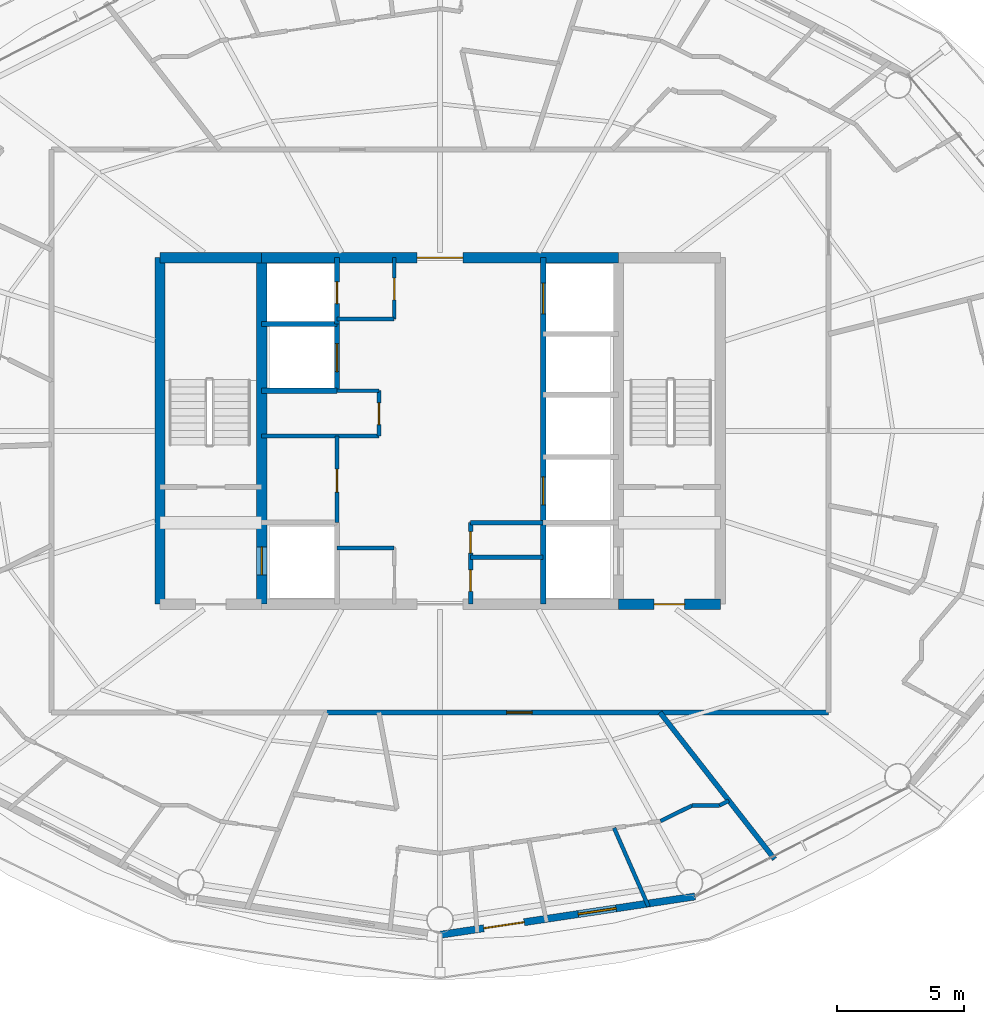
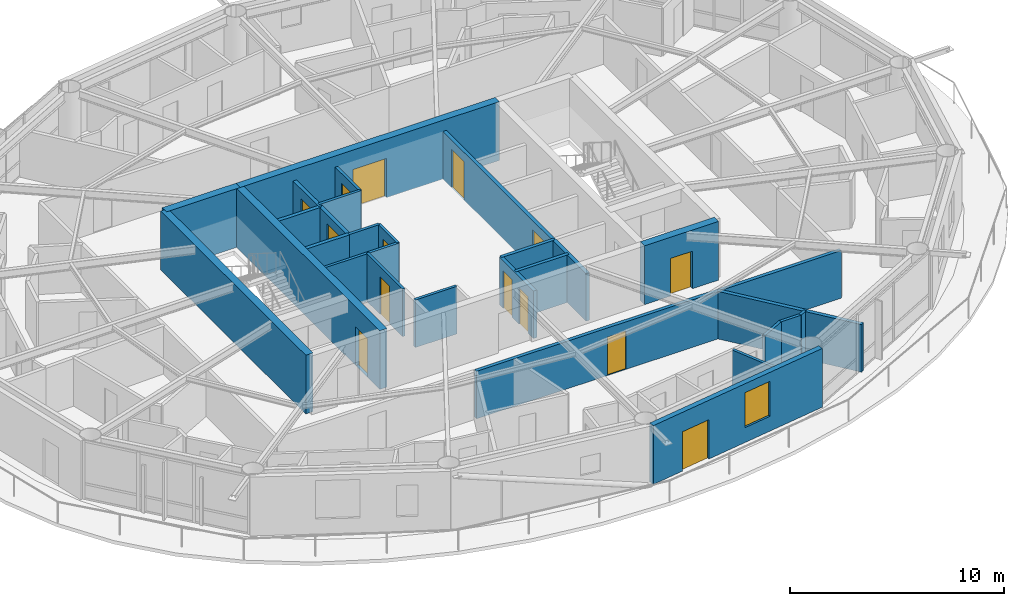
# One storey, part 17 of 23: 28 walls, 14 doors, 1 window, 15 openings.
"""IFC4 building model written with IfcOpenShell, lengths in metres."""

from ifc_helpers import new_model, si_unit, direction, frame, frame_2d, origin, place, context, subcontext, project, spatial, rectangle, extrude, material, layer, layer_set, type_object, element, fill, save


model = new_model("IFC4")

# Units and contexts
model_context = context("Model", 3, precision=1e-05, world=origin(), true_north=direction((0.0, 1.0)))
body_context = subcontext(model_context, "Body", "Model", "MODEL_VIEW")
ifc_project = project(units=[si_unit("LENGTHUNIT", "METRE"), si_unit("AREAUNIT", "SQUARE_METRE"), si_unit("VOLUMEUNIT", "CUBIC_METRE"), si_unit("PLANEANGLEUNIT", "RADIAN"), si_unit("MASSUNIT", "GRAM", prefix="KILO")], contexts=[model_context])

# Site, building, storey
site_placement = place(None, origin())
site = spatial("IfcSite", under=ifc_project, at=site_placement, CompositionType="ELEMENT")
building_placement = place(site_placement, origin())
building = spatial("IfcBuilding", under=site, at=building_placement, Name="Sarneth Arch Tower", CompositionType="ELEMENT")
storey_placement = place(building_placement, frame((0.0, 0.0, 238.800048828125)))
storey = spatial("IfcBuildingStorey", under=building, at=storey_placement, Name="L61", CompositionType="ELEMENT", Elevation=238.800048828125)

# Wall, opening, door
ifc_material_1 = material(Name="Concrete C50/60", Category="concrete")
ifc_layer_1 = layer(ifc_material_1, 0.39990234375)
ifc_layer_set_1 = layer_set([ifc_layer_1], Name="Concrete C50/60")
wall_type_1 = type_object("IfcWallType", Name="WALL-CORE-400", PredefinedType="SHEAR", material=ifc_layer_set_1)
wall_1_placement = place(storey_placement, frame((55.0, 35.199951171875, 0.0), z_axis=(0.0, 0.0, 1.0), x_axis=(1.0, 0.0, 0.0)))
wall_1 = element("IfcWall", 1, at=wall_1_placement, inside=storey, type_object=wall_type_1, Name="L61 Core shear wall S-E", PredefinedType="SHEAR", context=body_context, shape_type="SweptSolid", body=[
    extrude(rectangle(XDim=4.0, YDim=0.39990234375, at=frame_2d((2.0, 0.0))), origin(), (0.0, 0.0, 1.0), 3.35986328125),
])
opening_1_placement = place(wall_1_placement, frame((1.39990234375, 0.0, 0.0)))
opening_1 = element("IfcOpeningElement", 2, at=opening_1_placement, cuts=wall_1, Name="Opening FD-02", PredefinedType="OPENING", context=body_context, shape_type="SweptSolid", body=[
    extrude(rectangle(XDim=1.199951171875, YDim=2.14990234375, at=frame_2d((0.60009765625, 1.074951171875))), frame((0.0, 0.2099609375, 0.0), z_axis=(0.0, -1.0, 0.0), x_axis=(1.0, 0.0, 0.0)), (0.0, 0.0, 1.0), 0.419921875),
])
ifc_material_2 = material(Name="Galvanised Steel S275 fire door set", Category="steel")
door_type_1 = type_object("IfcDoorType", Name="DR-FD90-1200", OperationType="SINGLE_SWING_LEFT", PredefinedType="DOOR", material=ifc_material_2)
door_1_placement = place(opening_1_placement, origin())
door_1 = element("IfcDoor", 3, at=door_1_placement, inside=storey, type_object=door_type_1, Name="L61 Firefighting lobby 2 exit door", OperationType="SINGLE_SWING_RIGHT", OverallHeight=2.14990234375, OverallWidth=1.199951171875, PredefinedType="DOOR", context=body_context, shape_type="SweptSolid", body=[
    extrude(rectangle(XDim=1.199951171875, YDim=2.14990234375, at=frame_2d((0.60009765625, 1.074951171875))), frame((0.0, 0.02490234375, 0.0), z_axis=(0.0, -1.0, 0.0), x_axis=(1.0, 0.0, 0.0)), (0.0, 0.0, 1.0), 0.050048828125),
])
fill(opening_1, door_1)

# Wall
wall_2_placement = place(storey_placement, frame((37.0, 48.800048828125, 0.0), z_axis=(0.0, 0.0, 1.0), x_axis=(1.0, 0.0, 0.0)))
element("IfcWall", 4, at=wall_2_placement, inside=storey, type_object=wall_type_1, Name="L61 Core shear wall N-W", PredefinedType="SHEAR", context=body_context, shape_type="SweptSolid", body=[
    extrude(rectangle(XDim=4.0, YDim=0.39990234375, at=frame_2d((2.0, 0.0))), origin(), (0.0, 0.0, 1.0), 3.35986328125),
])

# Wall, opening, door
wall_3_placement = place(storey_placement, frame((41.0, 48.800048828125, 0.0), z_axis=(0.0, 0.0, 1.0), x_axis=(1.0, 0.0, 0.0)))
wall_3 = element("IfcWall", 5, at=wall_3_placement, inside=storey, type_object=wall_type_1, Name="L61 Core shear wall N-M", PredefinedType="SHEAR", context=body_context, shape_type="SweptSolid", body=[
    extrude(rectangle(XDim=14.0, YDim=0.39990234375, at=frame_2d((7.0, 0.0))), origin(), (0.0, 0.0, 1.0), 3.35986328125),
])
opening_2_placement = place(wall_3_placement, frame((6.10009765625, 0.0, 0.0)))
opening_2 = element("IfcOpeningElement", 6, at=opening_2_placement, cuts=wall_3, Name="Opening FD-01", PredefinedType="OPENING", context=body_context, shape_type="SweptSolid", body=[
    extrude(rectangle(XDim=1.800048828125, YDim=2.25, at=frame_2d((0.89990234375, 1.125))), frame((0.0, 0.2099609375, 0.0), z_axis=(0.0, -1.0, 0.0), x_axis=(1.0, 0.0, 0.0)), (0.0, 0.0, 1.0), 0.419921875),
])
ifc_material_3 = material(Name="Galvanised Steel S275 fire door set", Category="steel")
door_type_2 = type_object("IfcDoorType", Name="DR-FD90-1800", OperationType="DOUBLE_DOOR_SINGLE_SWING", PredefinedType="DOOR", material=ifc_material_3)
door_2_placement = place(opening_2_placement, origin())
door_2 = element("IfcDoor", 7, at=door_2_placement, inside=storey, type_object=door_type_2, Name="L61 Central lift lobby north door", OperationType="DOUBLE_DOOR_SINGLE_SWING", OverallHeight=2.25, OverallWidth=1.800048828125, PredefinedType="DOOR", context=body_context, shape_type="SweptSolid", body=[
    extrude(rectangle(XDim=1.800048828125, YDim=2.25, at=frame_2d((0.89990234375, 1.125))), frame((0.0, 0.02490234375, 0.0), z_axis=(0.0, -1.0, 0.0), x_axis=(1.0, 0.0, 0.0)), (0.0, 0.0, 1.0), 0.050048828125),
])
fill(opening_2, door_2)

# Wall
wall_4_placement = place(storey_placement, frame((37.0, 35.199951171875, 0.0), z_axis=(0.0, 0.0, 1.0), x_axis=(0.0, 1.0, 0.0)))
element("IfcWall", 8, at=wall_4_placement, inside=storey, type_object=wall_type_1, Name="L61 Core shear wall W", PredefinedType="SHEAR", context=body_context, shape_type="SweptSolid", body=[
    extrude(rectangle(XDim=13.60009765625, YDim=0.39990234375, at=frame_2d((6.800048828125, 0.0))), origin(), (0.0, 0.0, 1.0), 3.35986328125),
])

# Wall, opening, door
wall_5_placement = place(storey_placement, frame((41.0, 35.199951171875, 0.0), z_axis=(0.0, 0.0, 1.0), x_axis=(0.0, 1.0, 0.0)))
wall_5 = element("IfcWall", 9, at=wall_5_placement, inside=storey, type_object=wall_type_1, Name="L61 Core shear wall WEB-W", PredefinedType="SHEAR", context=body_context, shape_type="SweptSolid", body=[
    extrude(rectangle(XDim=13.60009765625, YDim=0.39990234375, at=frame_2d((6.800048828125, 0.0))), origin(), (0.0, 0.0, 1.0), 3.35986328125),
])
opening_3_placement = place(wall_5_placement, frame((1.14990234375, 0.0, 0.0)))
opening_3 = element("IfcOpeningElement", 10, at=opening_3_placement, cuts=wall_5, Name="Opening LD-1", PredefinedType="OPENING", context=body_context, shape_type="SweptSolid", body=[
    extrude(rectangle(XDim=1.10009765625, YDim=2.199951171875, at=frame_2d((0.550048828125, 1.10009765625))), frame((0.0, 0.2099609375, 0.0), z_axis=(0.0, -1.0, 0.0), x_axis=(1.0, 0.0, 0.0)), (0.0, 0.0, 1.0), 0.419921875),
])
ifc_material_4 = material(Name="Brushed Stainless Steel 304 lift landing door", Category="steel")
door_type_3 = type_object("IfcDoorType", Name="DR-LIFT-SLIDE-1100", OperationType="SLIDING_TO_LEFT", PredefinedType="DOOR", material=ifc_material_4)
door_3_placement = place(opening_3_placement, origin())
door_3 = element("IfcDoor", 11, at=door_3_placement, inside=storey, type_object=door_type_3, Name="L61 Firefighting lift landing door FL-1", OperationType="SLIDING_TO_LEFT", OverallHeight=2.199951171875, OverallWidth=1.10009765625, PredefinedType="DOOR", context=body_context, shape_type="SweptSolid", body=[
    extrude(rectangle(XDim=1.10009765625, YDim=2.199951171875, at=frame_2d((0.550048828125, 1.10009765625))), frame((0.0, 0.02490234375, 0.0), z_axis=(0.0, -1.0, 0.0), x_axis=(1.0, 0.0, 0.0)), (0.0, 0.0, 1.0), 0.050048828125),
])
fill(opening_3, door_3)

ifc_material_5 = material(Name="Double steel-stud corridor fire wall", Category="steel")
ifc_layer_2 = layer(ifc_material_5, 0.18994140625)
ifc_layer_set_2 = layer_set([ifc_layer_2], Name="Double steel-stud corridor fire wall")
wall_type_2 = type_object("IfcWallType", Name="WALL-CORR-190", PredefinedType="PARTITIONING", material=ifc_layer_set_2)
wall_6_placement = place(storey_placement, frame((63.25, 30.949951171875, 0.0), z_axis=(0.0, 0.0, 1.0), x_axis=(-1.0, 0.0, 0.0)))
wall_6 = element("IfcWall", 12, at=wall_6_placement, inside=storey, type_object=wall_type_2, Name="L61 Interior partition W-L61-TP-014", PredefinedType="PARTITIONING", context=body_context, shape_type="SweptSolid", body=[
    extrude(rectangle(XDim=19.714599609375, YDim=0.18994140625, at=frame_2d((9.857421875, 0.0))), origin(), (0.0, 0.0, 1.0), 2.719970703125),
])
opening_4_placement = place(wall_6_placement, frame((11.63232421875, 0.0, 0.0)))
opening_4 = element("IfcOpeningElement", 13, at=opening_4_placement, cuts=wall_6, Name="Opening FD-08", PredefinedType="OPENING", context=body_context, shape_type="SweptSolid", body=[
    extrude(rectangle(XDim=1.0, YDim=2.199951171875, at=frame_2d((0.5, 1.10009765625))), frame((0.0, 0.10498046875, 0.0), z_axis=(0.0, -1.0, 0.0), x_axis=(1.0, 0.0, 0.0)), (0.0, 0.0, 1.0), 0.2099609375),
])
ifc_material_6 = material(Name="Hardwood timber acoustic fire door", Category="wood")
door_type_4 = type_object("IfcDoorType", Name="DR-FD60-1000", OperationType="SINGLE_SWING_LEFT", PredefinedType="DOOR", material=ifc_material_6)
door_4_placement = place(opening_4_placement, origin())
door_4 = element("IfcDoor", 14, at=door_4_placement, inside=storey, type_object=door_type_4, Name="L61 Interior door DR-L61-U5-ENT", OperationType="SINGLE_SWING_RIGHT", OverallHeight=2.199951171875, OverallWidth=1.0, PredefinedType="DOOR", context=body_context, shape_type="SweptSolid", body=[
    extrude(rectangle(XDim=1.0, YDim=2.199951171875, at=frame_2d((0.5, 1.10009765625))), frame((0.0, 0.02490234375, 0.0), z_axis=(0.0, -1.0, 0.0), x_axis=(1.0, 0.0, 0.0)), (0.0, 0.0, 1.0), 0.050048828125),
])
fill(opening_4, door_4)

# Wall, openings, door, window
ifc_material_7 = material(Name="Extruded terracotta rainscreen on Concrete C40/50 backing", Category="masonry")
ifc_layer_3 = layer(ifc_material_7, 0.280029296875)
ifc_layer_set_3 = layer_set([ifc_layer_3], Name="Extruded terracotta rainscreen on Concrete C40/50 backing")
wall_type_3 = type_object("IfcWallType", Name="WALL-EXT-TERRA-280", PredefinedType="SOLIDWALL", material=ifc_layer_set_3)
wall_7_placement = place(storey_placement, frame((48.0, 22.219970703125, 0.0), z_axis=(0.0, 0.0, 1.0), x_axis=(0.988882522213, 0.148698881169, 0.0)))
wall_7 = element("IfcWall", 15, at=wall_7_placement, inside=storey, type_object=wall_type_3, Name="L61 Terracotta perimeter wall 13", PredefinedType="SOLIDWALL", context=body_context, shape_type="SweptSolid", body=[
    extrude(rectangle(XDim=10.125244140625, YDim=0.280029296875, at=frame_2d((5.0625, 0.0))), origin(), (0.0, 0.0, 1.0), 3.35986328125),
])
opening_5_placement = place(wall_7_placement, frame((1.73583984375, 0.0, 0.0)))
opening_5 = element("IfcOpeningElement", 16, at=opening_5_placement, cuts=wall_7, Name="Opening BD-1", PredefinedType="OPENING", context=body_context, shape_type="SweptSolid", body=[
    extrude(rectangle(XDim=1.60009765625, YDim=2.25, at=frame_2d((0.800048828125, 1.125))), frame((0.0, 0.14990234375, 0.0), z_axis=(0.0, -1.0, 0.0), x_axis=(1.0, 0.0, 0.0)), (0.0, 0.0, 1.0), 0.300048828125),
])
opening_6_placement = place(wall_7_placement, frame((5.485107421875, 0.0, 0.85009765625)))
opening_6 = element("IfcOpeningElement", 17, at=opening_6_placement, cuts=wall_7, Name="Opening W-06", PredefinedType="OPENING", context=body_context, shape_type="SweptSolid", body=[
    extrude(rectangle(XDim=1.5, YDim=2.0, at=frame_2d((0.75, 1.0))), frame((0.0, 0.14990234375, 0.0), z_axis=(0.0, -1.0, 0.0), x_axis=(1.0, 0.0, 0.0)), (0.0, 0.0, 1.0), 0.300048828125),
])
ifc_material_8 = material(Name="Thermally broken Aluminium 6063-T6 and laminated safety glass", Category="aluminium")
door_type_5 = type_object("IfcDoorType", Name="DR-BALC-GLZ-1600", OperationType="DOUBLE_DOOR_SINGLE_SWING", PredefinedType="DOOR", material=ifc_material_8)
door_5_placement = place(opening_5_placement, origin())
door_5 = element("IfcDoor", 18, at=door_5_placement, inside=storey, type_object=door_type_5, Name="L61 Balcony glazed door 13", OperationType="DOUBLE_DOOR_SINGLE_SWING", OverallHeight=2.25, OverallWidth=1.60009765625, PredefinedType="DOOR", context=body_context, shape_type="SweptSolid", body=[
    extrude(rectangle(XDim=1.60009765625, YDim=2.25, at=frame_2d((0.800048828125, 1.125))), frame((0.0, 0.02490234375, 0.0), z_axis=(0.0, -1.0, 0.0), x_axis=(1.0, 0.0, 0.0)), (0.0, 0.0, 1.0), 0.050048828125),
])
fill(opening_5, door_5)
ifc_material_9 = material(Name="Thermally broken Aluminium 6063-T6 and low-e laminated IGU", Category="aluminium")
window_type = type_object("IfcWindowType", Name="WIN-TWR-1500x2000", PartitioningType="SINGLE_PANEL", PredefinedType="WINDOW", material=ifc_material_9)
window_placement = place(opening_6_placement, origin())
window = element("IfcWindow", 19, at=window_placement, inside=storey, type_object=window_type, Name="L61 Exterior window 13A", OverallHeight=2.0, OverallWidth=1.5, PartitioningType="SINGLE_PANEL", PredefinedType="WINDOW", context=body_context, shape_type="SweptSolid", body=[
    extrude(rectangle(XDim=1.5, YDim=2.0, at=frame_2d((0.75, 1.0))), frame((0.0, 0.030029296875, 0.0), z_axis=(0.0, -1.0, 0.0), x_axis=(1.0, 0.0, 0.0)), (0.0, 0.0, 1.0), 0.06005859375),
])
fill(opening_6, window)

# Wall, opening, door
ifc_material_10 = material(Name="Acoustic gypsum stud partition", Category="gypsum")
ifc_layer_4 = layer(ifc_material_10, 0.14990234375)
ifc_layer_set_4 = layer_set([ifc_layer_4], Name="Acoustic gypsum stud partition")
wall_type_4 = type_object("IfcWallType", Name="WALL-PART-150", PredefinedType="PARTITIONING", material=ifc_layer_set_4)
wall_8_placement = place(storey_placement, frame((43.949951171875, 38.39990234375, 0.0), z_axis=(0.0, 0.0, 1.0), x_axis=(0.0, 1.0, 0.0)))
wall_8 = element("IfcWall", 20, at=wall_8_placement, inside=storey, type_object=wall_type_4, Name="L61 Interior partition W-L61-RECPL-E1", PredefinedType="PARTITIONING", context=body_context, shape_type="SweptSolid", body=[
    extrude(rectangle(XDim=3.400146484375, YDim=0.14990234375, at=frame_2d((1.7001953125, 0.0))), origin(), (0.0, 0.0, 1.0), 2.719970703125),
])
opening_7_placement = place(wall_8_placement, frame((1.199951171875, 0.0, 0.0)))
opening_7 = element("IfcOpeningElement", 21, at=opening_7_placement, cuts=wall_8, Name="Opening FD-10", PredefinedType="OPENING", context=body_context, shape_type="SweptSolid", body=[
    extrude(rectangle(XDim=0.89990234375, YDim=2.14990234375, at=frame_2d((0.449951171875, 1.074951171875))), frame((0.0, 0.0849609375, 0.0), z_axis=(0.0, -1.0, 0.0), x_axis=(1.0, 0.0, 0.0)), (0.0, 0.0, 1.0), 0.169921875),
])
ifc_material_11 = material(Name="Galvanised Steel S275 riser/service fire door", Category="steel")
door_type_6 = type_object("IfcDoorType", Name="DR-FD60-900", OperationType="SINGLE_SWING_LEFT", PredefinedType="DOOR", material=ifc_material_11)
door_6_placement = place(opening_7_placement, origin())
door_6 = element("IfcDoor", 22, at=door_6_placement, inside=storey, type_object=door_type_6, Name="L61 Interior door DR-L61-RECPL1", OperationType="SINGLE_SWING_LEFT", OverallHeight=2.14990234375, OverallWidth=0.89990234375, PredefinedType="DOOR", context=body_context, shape_type="SweptSolid", body=[
    extrude(rectangle(XDim=0.89990234375, YDim=2.14990234375, at=frame_2d((0.449951171875, 1.074951171875))), frame((0.0, 0.02490234375, 0.0), z_axis=(0.0, -1.0, 0.0), x_axis=(1.0, 0.0, 0.0)), (0.0, 0.0, 1.0), 0.050048828125),
])
fill(opening_7, door_6)

# Walls
wall_9_placement = place(storey_placement, frame((41.0, 41.800048828125, 0.0), z_axis=(0.0, 0.0, 1.0), x_axis=(1.0, 0.0, 0.0)))
element("IfcWall", 23, at=wall_9_placement, inside=storey, type_object=wall_type_4, Name="L61 Interior partition W-L61-RECPL-S2", PredefinedType="PARTITIONING", context=body_context, shape_type="SweptSolid", body=[
    extrude(rectangle(XDim=4.60009765625, YDim=0.14990234375, at=frame_2d((2.300048828125, 0.0))), origin(), (0.0, 0.0, 1.0), 2.719970703125),
])
wall_10_placement = place(storey_placement, frame((43.949951171875, 43.580078125, 0.0), z_axis=(0.0, 0.0, 1.0), x_axis=(1.0, 0.0, 0.0)))
element("IfcWall", 24, at=wall_10_placement, inside=storey, type_object=wall_type_4, Name="L61 Interior partition W-L61-RECPL-N2", PredefinedType="PARTITIONING", context=body_context, shape_type="SweptSolid", body=[
    extrude(rectangle(XDim=1.650146484375, YDim=0.14990234375, at=frame_2d((0.8251953125, 0.0))), origin(), (0.0, 0.0, 1.0), 2.719970703125),
])

# Wall, opening, door
wall_11_placement = place(storey_placement, frame((45.60009765625, 41.800048828125, 0.0), z_axis=(0.0, 0.0, 1.0), x_axis=(0.0, 1.0, 0.0)))
wall_11 = element("IfcWall", 25, at=wall_11_placement, inside=storey, type_object=wall_type_4, Name="L61 Interior partition W-L61-RECPL-E2", PredefinedType="PARTITIONING", context=body_context, shape_type="SweptSolid", body=[
    extrude(rectangle(XDim=1.780029296875, YDim=0.14990234375, at=frame_2d((0.89013671875, 0.0))), origin(), (0.0, 0.0, 1.0), 2.719970703125),
])
opening_8_placement = place(wall_11_placement, frame((0.449951171875, 0.0, 0.0)))
opening_8 = element("IfcOpeningElement", 26, at=opening_8_placement, cuts=wall_11, Name="Opening FD-11", PredefinedType="OPENING", context=body_context, shape_type="SweptSolid", body=[
    extrude(rectangle(XDim=0.85009765625, YDim=2.14990234375, at=frame_2d((0.425048828125, 1.074951171875))), frame((0.0, 0.0849609375, 0.0), z_axis=(0.0, -1.0, 0.0), x_axis=(1.0, 0.0, 0.0)), (0.0, 0.0, 1.0), 0.169921875),
])
ifc_material_12 = material(Name="Galvanised Steel S275 closet fire door", Category="steel")
door_type_7 = type_object("IfcDoorType", Name="DR-FD60-850", OperationType="SINGLE_SWING_LEFT", PredefinedType="DOOR", material=ifc_material_12)
door_7_placement = place(opening_8_placement, origin())
door_7 = element("IfcDoor", 27, at=door_7_placement, inside=storey, type_object=door_type_7, Name="L61 Interior door DR-L61-RECPL2", OperationType="SINGLE_SWING_RIGHT", OverallHeight=2.14990234375, OverallWidth=0.85009765625, PredefinedType="DOOR", context=body_context, shape_type="SweptSolid", body=[
    extrude(rectangle(XDim=0.85009765625, YDim=2.14990234375, at=frame_2d((0.425048828125, 1.074951171875))), frame((0.0, 0.02490234375, 0.0), z_axis=(0.0, -1.0, 0.0), x_axis=(1.0, 0.0, 0.0)), (0.0, 0.0, 1.0), 0.050048828125),
])
fill(opening_8, door_7)

# Walls
for number, where, z_axis, x_axis, name in (
    (28, (43.949951171875, 37.39990234375, 0.0), (0.0, 0.0, 1.0), (1.0, 0.0, 0.0), "L61 Interior partition W-L61-CSUP1-N"),
    (29, (43.949951171875, 46.39990234375, 0.0), (0.0, 0.0, 1.0), (1.0, 0.0, 0.0), "L61 Interior partition W-L61-CSUP2-S"),
):
    element("IfcWall", number, at=place(storey_placement, frame(where, z_axis=z_axis, x_axis=x_axis)), inside=storey, type_object=wall_type_4, Name=name, PredefinedType="PARTITIONING", context=body_context, shape_type="SweptSolid", body=[
        extrude(rectangle(XDim=2.25, YDim=0.14990234375, at=frame_2d((1.125, 0.0))), origin(), (0.0, 0.0, 1.0), 2.719970703125),
    ])

# Wall, opening, door
wall_12_placement = place(storey_placement, frame((46.199951171875, 46.39990234375, 0.0), z_axis=(0.0, 0.0, 1.0), x_axis=(0.0, 1.0, 0.0)))
wall_12 = element("IfcWall", 30, at=wall_12_placement, inside=storey, type_object=wall_type_4, Name="L61 Interior partition W-L61-CSUP2-E", PredefinedType="PARTITIONING", context=body_context, shape_type="SweptSolid", body=[
    extrude(rectangle(XDim=2.400146484375, YDim=0.14990234375, at=frame_2d((1.2001953125, 0.0))), origin(), (0.0, 0.0, 1.0), 2.719970703125),
])
opening_9_placement = place(wall_12_placement, frame((0.75, 0.0, 0.0)))
opening_9 = element("IfcOpeningElement", 31, at=opening_9_placement, cuts=wall_12, Name="Opening FD-11", PredefinedType="OPENING", context=body_context, shape_type="SweptSolid", body=[
    extrude(rectangle(XDim=0.85009765625, YDim=2.14990234375, at=frame_2d((0.425048828125, 1.074951171875))), frame((0.0, 0.0849609375, 0.0), z_axis=(0.0, -1.0, 0.0), x_axis=(1.0, 0.0, 0.0)), (0.0, 0.0, 1.0), 0.169921875),
])
door_8_placement = place(opening_9_placement, origin())
door_8 = element("IfcDoor", 32, at=door_8_placement, inside=storey, type_object=door_type_7, Name="L61 Interior door DR-L61-CSUP2", OperationType="SINGLE_SWING_RIGHT", OverallHeight=2.14990234375, OverallWidth=0.85009765625, PredefinedType="DOOR", context=body_context, shape_type="SweptSolid", body=[
    extrude(rectangle(XDim=0.85009765625, YDim=2.14990234375, at=frame_2d((0.425048828125, 1.074951171875))), frame((0.0, 0.02490234375, 0.0), z_axis=(0.0, -1.0, 0.0), x_axis=(1.0, 0.0, 0.0)), (0.0, 0.0, 1.0), 0.050048828125),
])
fill(opening_9, door_8)

# Walls
wall_13_placement = place(storey_placement, frame((54.83056640625, 26.416015625, 0.0), z_axis=(0.0, 0.0, 1.0), x_axis=(0.401469388376, -0.915872442099, 0.0)))
element("IfcWall", 33, at=wall_13_placement, inside=storey, type_object=wall_type_4, Name="L61 Interior partition W-L61-TP-113", PredefinedType="PARTITIONING", context=body_context, shape_type="SweptSolid", body=[
    extrude(rectangle(XDim=3.365966796875, YDim=0.14990234375, at=frame_2d((1.68310546875, 0.0))), origin(), (0.0, 0.0, 1.0), 2.719970703125),
])
wall_14_placement = place(storey_placement, frame((57.898681640625, 27.300048828125, 0.0), z_axis=(0.0, 0.0, 1.0), x_axis=(-0.895584310315, -0.444891833053, 0.0)))
element("IfcWall", 34, at=wall_14_placement, inside=storey, type_object=wall_type_4, Name="L61 Interior partition W-L61-TP-108", PredefinedType="PARTITIONING", context=body_context, shape_type="SweptSolid", body=[
    extrude(rectangle(XDim=1.388916015625, YDim=0.14990234375, at=frame_2d((0.6943359375, 0.0))), origin(), (0.0, 0.0, 1.0), 2.719970703125),
])
wall_15_placement = place(storey_placement, frame((58.9638671875, 27.300048828125, 0.0), z_axis=(0.0, 0.0, 1.0), x_axis=(-1.0, 0.0, 0.0)))
element("IfcWall", 35, at=wall_15_placement, inside=storey, type_object=wall_type_4, Name="L61 Interior partition W-L61-TP-107", PredefinedType="PARTITIONING", context=body_context, shape_type="SweptSolid", body=[
    extrude(rectangle(XDim=1.065185546875, YDim=0.14990234375, at=frame_2d((0.53271484375, 0.0))), origin(), (0.0, 0.0, 1.0), 2.719970703125),
])
wall_16_placement = place(storey_placement, frame((59.339111328125, 27.486572265625, 0.0), z_axis=(0.0, 0.0, 1.0), x_axis=(-0.895473432012, -0.445114965554, 0.0)))
element("IfcWall", 36, at=wall_16_placement, inside=storey, type_object=wall_type_4, Name="L61 Interior partition W-L61-TP-106", PredefinedType="PARTITIONING", context=body_context, shape_type="SweptSolid", body=[
    extrude(rectangle(XDim=0.4189453125, YDim=0.14990234375, at=frame_2d((0.20947265625, 0.0))), origin(), (0.0, 0.0, 1.0), 2.719970703125),
])
ifc_material_13 = material(Name="Moisture-resistant plumbing chase wall", Category="gypsum")
ifc_layer_5 = layer(ifc_material_13, 0.179931640625)
ifc_layer_set_5 = layer_set([ifc_layer_5], Name="Moisture-resistant plumbing chase wall")
wall_type_5 = type_object("IfcWallType", Name="WALL-PLUMB-180", PredefinedType="PLUMBINGWALL", material=ifc_layer_set_5)
for number, where, z_axis, x_axis, name in (
    (37, (49.199951171875, 37.050048828125, 0.0), (0.0, 0.0, 1.0), (1.0, 0.0, 0.0), "L61 Interior partition W-L61-AWC-M"),
    (38, (49.199951171875, 38.39990234375, 0.0), (0.0, 0.0, 1.0), (1.0, 0.0, 0.0), "L61 Interior partition W-L61-AWC-N"),
):
    element("IfcWall", number, at=place(storey_placement, frame(where, z_axis=z_axis, x_axis=x_axis)), inside=storey, type_object=wall_type_5, Name=name, PredefinedType="PLUMBINGWALL", context=body_context, shape_type="SweptSolid", body=[
        extrude(rectangle(XDim=2.85009765625, YDim=0.179931640625, at=frame_2d((1.425048828125, 0.0))), origin(), (0.0, 0.0, 1.0), 2.719970703125),
    ])

# Wall, openings, doors
wall_17_placement = place(storey_placement, frame((49.199951171875, 35.199951171875, 0.0), z_axis=(0.0, 0.0, 1.0), x_axis=(0.0, 1.0, 0.0)))
wall_17 = element("IfcWall", 39, at=wall_17_placement, inside=storey, type_object=wall_type_5, Name="L61 Interior partition W-L61-AWC-W", PredefinedType="PLUMBINGWALL", context=body_context, shape_type="SweptSolid", body=[
    extrude(rectangle(XDim=3.199951171875, YDim=0.179931640625, at=frame_2d((1.60009765625, 0.0))), origin(), (0.0, 0.0, 1.0), 2.719970703125),
])
opening_10_placement = place(wall_17_placement, frame((0.5, 0.0, 0.0)))
opening_10 = element("IfcOpeningElement", 40, at=opening_10_placement, cuts=wall_17, Name="Opening ID-02", PredefinedType="OPENING", context=body_context, shape_type="SweptSolid", body=[
    extrude(rectangle(XDim=0.85009765625, YDim=2.10009765625, at=frame_2d((0.425048828125, 1.050048828125))), frame((0.0, 0.099853515625, 0.0), z_axis=(0.0, -1.0, 0.0), x_axis=(1.0, 0.0, 0.0)), (0.0, 0.0, 1.0), 0.199951171875),
])
opening_11_placement = place(wall_17_placement, frame((2.0, 0.0, 0.0)))
opening_11 = element("IfcOpeningElement", 41, at=opening_11_placement, cuts=wall_17, Name="Opening FD-11", PredefinedType="OPENING", context=body_context, shape_type="SweptSolid", body=[
    extrude(rectangle(XDim=0.85009765625, YDim=2.14990234375, at=frame_2d((0.425048828125, 1.074951171875))), frame((0.0, 0.099853515625, 0.0), z_axis=(0.0, -1.0, 0.0), x_axis=(1.0, 0.0, 0.0)), (0.0, 0.0, 1.0), 0.199951171875),
])
door_9_placement = place(opening_11_placement, origin())
door_9 = element("IfcDoor", 42, at=door_9_placement, inside=storey, type_object=door_type_7, Name="L61 Interior door DR-L61-CSUP3", OperationType="SINGLE_SWING_LEFT", OverallHeight=2.14990234375, OverallWidth=0.85009765625, PredefinedType="DOOR", context=body_context, shape_type="SweptSolid", body=[
    extrude(rectangle(XDim=0.85009765625, YDim=2.14990234375, at=frame_2d((0.425048828125, 1.074951171875))), frame((0.0, 0.02490234375, 0.0), z_axis=(0.0, -1.0, 0.0), x_axis=(1.0, 0.0, 0.0)), (0.0, 0.0, 1.0), 0.050048828125),
])
fill(opening_11, door_9)
ifc_material_14 = material(Name="Moisture-resistant bathroom timber door", Category="wood")
door_type_8 = type_object("IfcDoorType", Name="DR-INT-850", OperationType="SINGLE_SWING_RIGHT", PredefinedType="DOOR", material=ifc_material_14)
door_10_placement = place(opening_10_placement, origin())
door_10 = element("IfcDoor", 43, at=door_10_placement, inside=storey, type_object=door_type_8, Name="L61 Interior door DR-L61-AWC", OperationType="SINGLE_SWING_RIGHT", OverallHeight=2.10009765625, OverallWidth=0.85009765625, PredefinedType="DOOR", context=body_context, shape_type="SweptSolid", body=[
    extrude(rectangle(XDim=0.85009765625, YDim=2.10009765625, at=frame_2d((0.425048828125, 1.050048828125))), frame((0.0, 0.02490234375, 0.0), z_axis=(0.0, -1.0, 0.0), x_axis=(1.0, 0.0, 0.0)), (0.0, 0.0, 1.0), 0.050048828125),
])
fill(opening_10, door_10)

# Walls
ifc_material_15 = material(Name="Aerated concrete blockwork C25/30", Category="masonry")
ifc_layer_6 = layer(ifc_material_15, 0.199951171875)
ifc_layer_set_6 = layer_set([ifc_layer_6], Name="Aerated concrete blockwork C25/30")
wall_type_6 = type_object("IfcWallType", Name="WALL-SHAFT-200", PredefinedType="SOLIDWALL", material=ifc_layer_set_6)
wall_18_placement = place(storey_placement, frame((52.050048828125, 35.199951171875, 0.0), z_axis=(0.0, 0.0, 1.0), x_axis=(0.0, 1.0, 0.0)))
element("IfcWall", 44, at=wall_18_placement, inside=storey, type_object=wall_type_6, Name="L61 Interior partition W-L61-FL2-W", PredefinedType="SOLIDWALL", context=body_context, shape_type="SweptSolid", body=[
    extrude(rectangle(XDim=3.199951171875, YDim=0.199951171875, at=frame_2d((1.60009765625, 0.0))), origin(), (0.0, 0.0, 1.0), 2.719970703125),
])
wall_19_placement = place(storey_placement, frame((41.0, 46.199951171875, 0.0), z_axis=(0.0, 0.0, 1.0), x_axis=(1.0, 0.0, 0.0)))
element("IfcWall", 45, at=wall_19_placement, inside=storey, type_object=wall_type_6, Name="L61 Interior partition W-L61-RISER-S", PredefinedType="SOLIDWALL", context=body_context, shape_type="SweptSolid", body=[
    extrude(rectangle(XDim=2.949951171875, YDim=0.199951171875, at=frame_2d((1.47509765625, 0.0))), origin(), (0.0, 0.0, 1.0), 2.719970703125),
])

# Wall, opening, door
wall_20_placement = place(storey_placement, frame((43.949951171875, 46.199951171875, 0.0), z_axis=(0.0, 0.0, 1.0), x_axis=(0.0, 1.0, 0.0)))
wall_20 = element("IfcWall", 46, at=wall_20_placement, inside=storey, type_object=wall_type_6, Name="L61 Interior partition W-L61-RISER-E", PredefinedType="SOLIDWALL", context=body_context, shape_type="SweptSolid", body=[
    extrude(rectangle(XDim=2.60009765625, YDim=0.199951171875, at=frame_2d((1.300048828125, 0.0))), origin(), (0.0, 0.0, 1.0), 2.719970703125),
])
opening_12_placement = place(wall_20_placement, frame((0.800048828125, 0.0, 0.0)))
opening_12 = element("IfcOpeningElement", 47, at=opening_12_placement, cuts=wall_20, Name="Opening FD-11", PredefinedType="OPENING", context=body_context, shape_type="SweptSolid", body=[
    extrude(rectangle(XDim=0.85009765625, YDim=2.14990234375, at=frame_2d((0.425048828125, 1.074951171875))), frame((0.0, 0.10986328125, 0.0), z_axis=(0.0, -1.0, 0.0), x_axis=(1.0, 0.0, 0.0)), (0.0, 0.0, 1.0), 0.219970703125),
])
door_11_placement = place(opening_12_placement, origin())
door_11 = element("IfcDoor", 48, at=door_11_placement, inside=storey, type_object=door_type_7, Name="L61 Lift landing door DR-L61-RISER", OperationType="SINGLE_SWING_LEFT", OverallHeight=2.14990234375, OverallWidth=0.85009765625, PredefinedType="DOOR", context=body_context, shape_type="SweptSolid", body=[
    extrude(rectangle(XDim=0.85009765625, YDim=2.14990234375, at=frame_2d((0.425048828125, 1.074951171875))), frame((0.0, 0.02490234375, 0.0), z_axis=(0.0, -1.0, 0.0), x_axis=(1.0, 0.0, 0.0)), (0.0, 0.0, 1.0), 0.050048828125),
])
fill(opening_12, door_11)

# Wall
wall_21_placement = place(storey_placement, frame((41.0, 43.580078125, 0.0), z_axis=(0.0, 0.0, 1.0), x_axis=(1.0, 0.0, 0.0)))
element("IfcWall", 49, at=wall_21_placement, inside=storey, type_object=wall_type_6, Name="L61 Interior partition W-L61-PM1-S", PredefinedType="SOLIDWALL", context=body_context, shape_type="SweptSolid", body=[
    extrude(rectangle(XDim=2.949951171875, YDim=0.199951171875, at=frame_2d((1.47509765625, 0.0))), origin(), (0.0, 0.0, 1.0), 2.719970703125),
])

# Wall, opening, door
wall_22_placement = place(storey_placement, frame((43.949951171875, 43.580078125, 0.0), z_axis=(0.0, 0.0, 1.0), x_axis=(0.0, 1.0, 0.0)))
wall_22 = element("IfcWall", 50, at=wall_22_placement, inside=storey, type_object=wall_type_6, Name="L61 Interior partition W-L61-PM1-FRONT", PredefinedType="SOLIDWALL", context=body_context, shape_type="SweptSolid", body=[
    extrude(rectangle(XDim=2.619873046875, YDim=0.199951171875, at=frame_2d((1.31005859375, 0.0))), origin(), (0.0, 0.0, 1.0), 2.719970703125),
])
opening_13_placement = place(wall_22_placement, frame((0.75, 0.0, 0.0)))
opening_13 = element("IfcOpeningElement", 51, at=opening_13_placement, cuts=wall_22, Name="Opening LD-1", PredefinedType="OPENING", context=body_context, shape_type="SweptSolid", body=[
    extrude(rectangle(XDim=1.10009765625, YDim=2.199951171875, at=frame_2d((0.550048828125, 1.10009765625))), frame((0.0, 0.10986328125, 0.0), z_axis=(0.0, -1.0, 0.0), x_axis=(1.0, 0.0, 0.0)), (0.0, 0.0, 1.0), 0.219970703125),
])
door_12_placement = place(opening_13_placement, origin())
door_12 = element("IfcDoor", 52, at=door_12_placement, inside=storey, type_object=door_type_3, Name="L61 Lift landing door DR-L61-LD-PM1", OperationType="SLIDING_TO_LEFT", OverallHeight=2.199951171875, OverallWidth=1.10009765625, PredefinedType="DOOR", context=body_context, shape_type="SweptSolid", body=[
    extrude(rectangle(XDim=1.10009765625, YDim=2.199951171875, at=frame_2d((0.550048828125, 1.10009765625))), frame((0.0, 0.02490234375, 0.0), z_axis=(0.0, -1.0, 0.0), x_axis=(1.0, 0.0, 0.0)), (0.0, 0.0, 1.0), 0.050048828125),
])
fill(opening_13, door_12)

# Wall, openings, doors
wall_23_placement = place(storey_placement, frame((52.050048828125, 38.39990234375, 0.0), z_axis=(0.0, 0.0, 1.0), x_axis=(0.0, 1.0, 0.0)))
wall_23 = element("IfcWall", 53, at=wall_23_placement, inside=storey, type_object=wall_type_6, Name="L61 Interior partition W-L61-EASTBANK-FRONT", PredefinedType="SOLIDWALL", context=body_context, shape_type="SweptSolid", body=[
    extrude(rectangle(XDim=10.400146484375, YDim=0.199951171875, at=frame_2d((5.2001953125, 0.0))), origin(), (0.0, 0.0, 1.0), 2.719970703125),
])
opening_14_placement = place(wall_23_placement, frame((0.699951171875, 0.0, 0.0)))
opening_14 = element("IfcOpeningElement", 54, at=opening_14_placement, cuts=wall_23, Name="Opening LD-1", PredefinedType="OPENING", context=body_context, shape_type="SweptSolid", body=[
    extrude(rectangle(XDim=1.10009765625, YDim=2.199951171875, at=frame_2d((0.550048828125, 1.10009765625))), frame((0.0, 0.10986328125, 0.0), z_axis=(0.0, -1.0, 0.0), x_axis=(1.0, 0.0, 0.0)), (0.0, 0.0, 1.0), 0.219970703125),
])
opening_15_placement = place(wall_23_placement, frame((8.199951171875, 0.0, 0.0)))
opening_15 = element("IfcOpeningElement", 55, at=opening_15_placement, cuts=wall_23, Name="Opening LD-2", PredefinedType="OPENING", context=body_context, shape_type="SweptSolid", body=[
    extrude(rectangle(XDim=1.199951171875, YDim=2.199951171875, at=frame_2d((0.60009765625, 1.10009765625))), frame((0.0, 0.10986328125, 0.0), z_axis=(0.0, -1.0, 0.0), x_axis=(1.0, 0.0, 0.0)), (0.0, 0.0, 1.0), 0.219970703125),
])
door_13_placement = place(opening_14_placement, origin())
door_13 = element("IfcDoor", 56, at=door_13_placement, inside=storey, type_object=door_type_3, Name="L61 Lift landing door DR-L61-LD-PM2", OperationType="SLIDING_TO_LEFT", OverallHeight=2.199951171875, OverallWidth=1.10009765625, PredefinedType="DOOR", context=body_context, shape_type="SweptSolid", body=[
    extrude(rectangle(XDim=1.10009765625, YDim=2.199951171875, at=frame_2d((0.550048828125, 1.10009765625))), frame((0.0, 0.02490234375, 0.0), z_axis=(0.0, -1.0, 0.0), x_axis=(1.0, 0.0, 0.0)), (0.0, 0.0, 1.0), 0.050048828125),
])
fill(opening_14, door_13)
ifc_material_16 = material(Name="Brushed Stainless Steel 304 service lift door", Category="steel")
door_type_9 = type_object("IfcDoorType", Name="DR-LIFT-SLIDE-1200", OperationType="SLIDING_TO_RIGHT", PredefinedType="DOOR", material=ifc_material_16)
door_14_placement = place(opening_15_placement, origin())
door_14 = element("IfcDoor", 57, at=door_14_placement, inside=storey, type_object=door_type_9, Name="L61 Lift landing door DR-L61-LD-SL1", OperationType="SLIDING_TO_RIGHT", OverallHeight=2.199951171875, OverallWidth=1.199951171875, PredefinedType="DOOR", context=body_context, shape_type="SweptSolid", body=[
    extrude(rectangle(XDim=1.199951171875, YDim=2.199951171875, at=frame_2d((0.60009765625, 1.10009765625))), frame((0.0, 0.02490234375, 0.0), z_axis=(0.0, -1.0, 0.0), x_axis=(1.0, 0.0, 0.0)), (0.0, 0.0, 1.0), 0.050048828125),
])
fill(opening_15, door_14)

# Wall
ifc_material_17 = material(Name="Double steel-stud acoustic drywall", Category="steel")
ifc_layer_7 = layer(ifc_material_17, 0.199951171875)
ifc_layer_set_7 = layer_set([ifc_layer_7], Name="Double steel-stud acoustic drywall")
wall_type_7 = type_object("IfcWallType", Name="WALL-UNIT-200", PredefinedType="PARTITIONING", material=ifc_layer_set_7)
wall_24_placement = place(storey_placement, frame((56.63330078125, 30.949951171875, 0.0), z_axis=(0.0, 0.0, 1.0), x_axis=(0.615657656631, -0.788013737083, 0.0)))
element("IfcWall", 58, at=wall_24_placement, inside=storey, type_object=wall_type_7, Name="L61 Interior partition W-L61-TP-110", PredefinedType="PARTITIONING", context=body_context, shape_type="SweptSolid", body=[
    extrude(rectangle(XDim=7.3076171875, YDim=0.199951171875, at=frame_2d((3.65380859375, 0.0))), origin(), (0.0, 0.0, 1.0), 2.719970703125),
])

save(model, "model.ifc")
